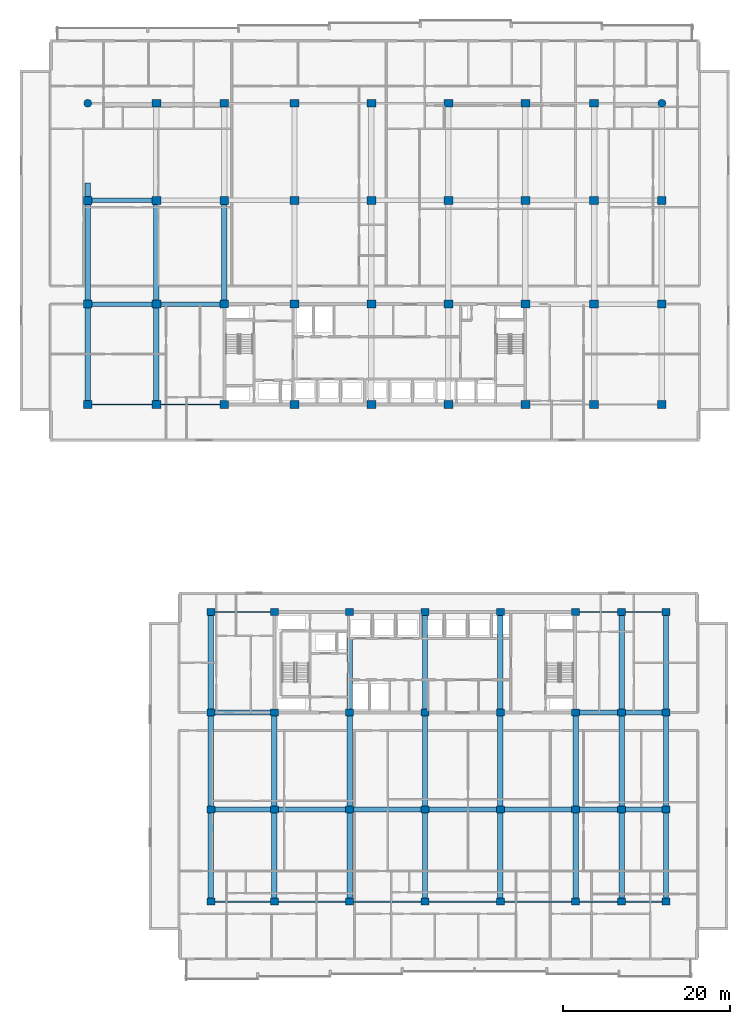
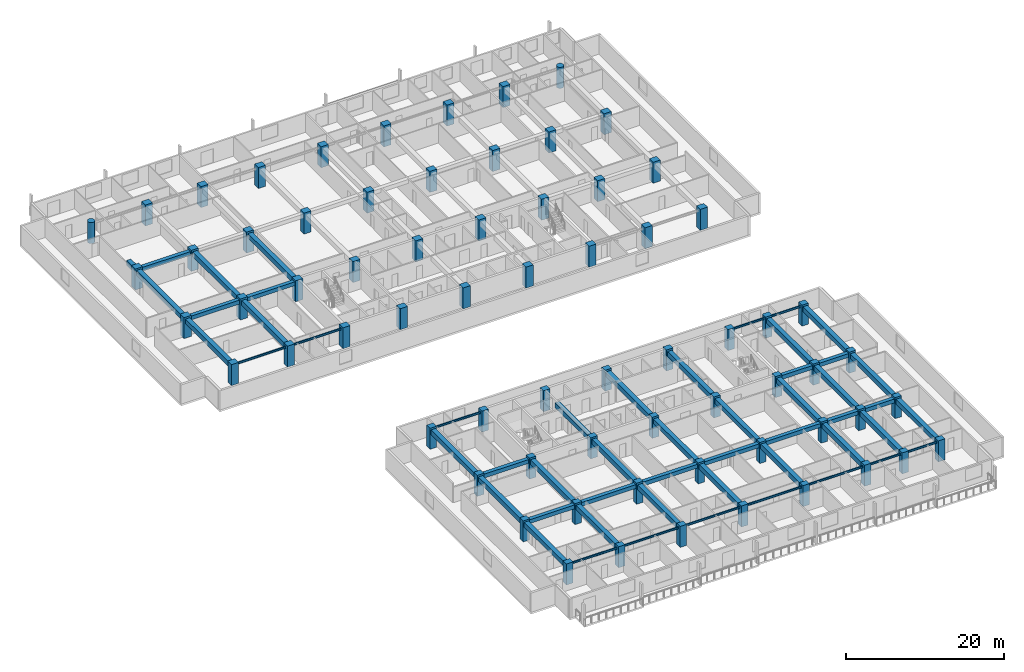
# One storey, part 1 of 23: 68 columns, 53 beams.
"""IFC4 building model written with IfcOpenShell, lengths in metres."""

from ifc_helpers import new_model, si_unit, direction, frame, origin, origin_2d, place, context, subcontext, project, spatial, rectangle, circle, i_section, extrude, material, material_profile, profile_set, type_object, element, save


model = new_model("IFC4")

# Units and contexts
model_context = context("Model", 3, precision=1e-05, world=origin(), true_north=direction((0.0, 1.0)))
body_context = subcontext(model_context, "Body", "Model", "MODEL_VIEW")
ifc_project = project(units=[si_unit("LENGTHUNIT", "METRE"), si_unit("AREAUNIT", "SQUARE_METRE"), si_unit("VOLUMEUNIT", "CUBIC_METRE"), si_unit("PLANEANGLEUNIT", "RADIAN"), si_unit("MASSUNIT", "GRAM", prefix="KILO")], contexts=[model_context])

# Site, building, storey
site_placement = place(None, origin())
site = spatial("IfcSite", under=ifc_project, at=site_placement, CompositionType="ELEMENT")
building_placement = place(site_placement, origin())
building = spatial("IfcBuilding", under=site, at=building_placement, Name="Korimba Cascade Residences", CompositionType="ELEMENT")
storey_placement = place(building_placement, frame((0.0, 0.0, 56.5)))
storey = spatial("IfcBuildingStorey", under=building, at=storey_placement, Name="L15", CompositionType="ELEMENT", Elevation=56.5)

# Columns
ifc_material_1 = material(Name="Concrete C80/95", Category="concrete")
ifc_material_profile_1 = material_profile(ifc_material_1, rectangle(XDim=1.050048828125, YDim=0.949951171875, at=origin_2d()), Name="Concrete C80/95")
ifc_profile_set_1 = profile_set([ifc_material_profile_1], Name="Concrete C80/95")
column_type_1 = type_object("IfcColumnType", Name="COL-RC-1050", PredefinedType="COLUMN", material=ifc_profile_set_1)
for number, where, z_axis, x_axis, name in (
    (1, (59.800048828125, 55.199951171875, 0.0), (0.0, 0.0, 1.0), (1.0, 0.0, 0.0), "L15 Tower 1 Column 1.1"),
    (2, (59.800048828125, 67.199951171875, 0.0), (0.0, 0.0, 1.0), (1.0, 0.0, 0.0), "L15 Tower 1 Column 1.2"),
    (3, (59.800048828125, 79.60009765625, 0.0), (0.0, 0.0, 1.0), (1.0, 0.0, 0.0), "L15 Tower 1 Column 1.3"),
    (4, (68.0, 55.199951171875, 0.0), (0.0, 0.0, 1.0), (1.0, 0.0, 0.0), "L15 Tower 1 Column 2.1"),
    (5, (68.0, 67.199951171875, 0.0), (0.0, 0.0, 1.0), (1.0, 0.0, 0.0), "L15 Tower 1 Column 2.2"),
    (6, (68.0, 79.60009765625, 0.0), (0.0, 0.0, 1.0), (1.0, 0.0, 0.0), "L15 Tower 1 Column 2.3"),
    (7, (68.0, 91.199951171875, 0.0), (0.0, 0.0, 1.0), (1.0, 0.0, 0.0), "L15 Tower 1 Column 2.4"),
    (8, (76.10009765625, 55.199951171875, 0.0), (0.0, 0.0, 1.0), (1.0, 0.0, 0.0), "L15 Tower 1 Column 3.1"),
    (9, (76.10009765625, 67.199951171875, 0.0), (0.0, 0.0, 1.0), (1.0, 0.0, 0.0), "L15 Tower 1 Column 3.2"),
    (10, (76.10009765625, 79.60009765625, 0.0), (0.0, 0.0, 1.0), (1.0, 0.0, 0.0), "L15 Tower 1 Column 3.3"),
    (11, (76.10009765625, 91.199951171875, 0.0), (0.0, 0.0, 1.0), (1.0, 0.0, 0.0), "L15 Tower 1 Column 3.4"),
    (12, (84.5, 55.199951171875, 0.0), (0.0, 0.0, 1.0), (1.0, 0.0, 0.0), "L15 Tower 1 Column 4.1"),
    (13, (84.5, 67.199951171875, 0.0), (0.0, 0.0, 1.0), (1.0, 0.0, 0.0), "L15 Tower 1 Column 4.2"),
    (14, (84.5, 79.60009765625, 0.0), (0.0, 0.0, 1.0), (1.0, 0.0, 0.0), "L15 Tower 1 Column 4.3"),
    (15, (84.5, 91.199951171875, 0.0), (0.0, 0.0, 1.0), (1.0, 0.0, 0.0), "L15 Tower 1 Column 4.4"),
    (16, (93.699951171875, 55.199951171875, 0.0), (0.0, 0.0, 1.0), (1.0, 0.0, 0.0), "L15 Tower 1 Column 5.1"),
    (17, (93.699951171875, 67.199951171875, 0.0), (0.0, 0.0, 1.0), (1.0, 0.0, 0.0), "L15 Tower 1 Column 5.2"),
    (18, (93.699951171875, 79.60009765625, 0.0), (0.0, 0.0, 1.0), (1.0, 0.0, 0.0), "L15 Tower 1 Column 5.3"),
    (19, (93.699951171875, 91.199951171875, 0.0), (0.0, 0.0, 1.0), (1.0, 0.0, 0.0), "L15 Tower 1 Column 5.4"),
    (20, (102.89990234375, 55.199951171875, 0.0), (0.0, 0.0, 1.0), (1.0, 0.0, 0.0), "L15 Tower 1 Column 6.1"),
    (21, (102.89990234375, 67.199951171875, 0.0), (0.0, 0.0, 1.0), (1.0, 0.0, 0.0), "L15 Tower 1 Column 6.2"),
    (22, (102.89990234375, 79.60009765625, 0.0), (0.0, 0.0, 1.0), (1.0, 0.0, 0.0), "L15 Tower 1 Column 6.3"),
    (23, (102.89990234375, 91.199951171875, 0.0), (0.0, 0.0, 1.0), (1.0, 0.0, 0.0), "L15 Tower 1 Column 6.4"),
    (24, (112.10009765625, 55.199951171875, 0.0), (0.0, 0.0, 1.0), (1.0, 0.0, 0.0), "L15 Tower 1 Column 7.1"),
    (25, (112.10009765625, 67.199951171875, 0.0), (0.0, 0.0, 1.0), (1.0, 0.0, 0.0), "L15 Tower 1 Column 7.2"),
    (26, (112.10009765625, 79.60009765625, 0.0), (0.0, 0.0, 1.0), (1.0, 0.0, 0.0), "L15 Tower 1 Column 7.3"),
    (27, (112.10009765625, 91.199951171875, 0.0), (0.0, 0.0, 1.0), (1.0, 0.0, 0.0), "L15 Tower 1 Column 7.4"),
    (28, (120.300048828125, 55.199951171875, 0.0), (0.0, 0.0, 1.0), (1.0, 0.0, 0.0), "L15 Tower 1 Column 8.1"),
    (29, (120.300048828125, 67.199951171875, 0.0), (0.0, 0.0, 1.0), (1.0, 0.0, 0.0), "L15 Tower 1 Column 8.2"),
    (30, (120.300048828125, 79.60009765625, 0.0), (0.0, 0.0, 1.0), (1.0, 0.0, 0.0), "L15 Tower 1 Column 8.3"),
    (31, (120.300048828125, 91.199951171875, 0.0), (0.0, 0.0, 1.0), (1.0, 0.0, 0.0), "L15 Tower 1 Column 8.4"),
    (32, (128.39990234375, 55.199951171875, 0.0), (0.0, 0.0, 1.0), (1.0, 0.0, 0.0), "L15 Tower 1 Column 9.1"),
    (33, (128.39990234375, 67.199951171875, 0.0), (0.0, 0.0, 1.0), (1.0, 0.0, 0.0), "L15 Tower 1 Column 9.2"),
    (34, (128.39990234375, 79.60009765625, 0.0), (0.0, 0.0, 1.0), (1.0, 0.0, 0.0), "L15 Tower 1 Column 9.3"),
):
    element("IfcColumn", number, at=place(storey_placement, frame(where, z_axis=z_axis, x_axis=x_axis)), inside=storey, type_object=column_type_1, Name=name, PredefinedType="COLUMN", context=body_context, shape_type="SweptSolid", body=[
        extrude(rectangle(XDim=1.050048828125, YDim=0.949951171875, at=origin_2d()), origin(), (0.0, 0.0, 1.0), 3.25),
    ])
ifc_material_2 = material(Name="Concrete C65/80", Category="concrete")
ifc_material_profile_2 = material_profile(ifc_material_2, rectangle(XDim=0.949951171875, YDim=0.85009765625, at=origin_2d()), Name="Concrete C65/80")
ifc_profile_set_2 = profile_set([ifc_material_profile_2], Name="Concrete C65/80")
column_type_2 = type_object("IfcColumnType", Name="COL-RC-950", PredefinedType="COLUMN", material=ifc_profile_set_2)
for number, where, z_axis, x_axis, name in (
    (35, (74.5, -4.199951171875, 0.0), (0.0, 0.0, 1.0), (1.0, 0.0, 0.0), "L15 Tower 2 Column 1.1"),
    (36, (74.5, 6.800048828125, 0.0), (0.0, 0.0, 1.0), (1.0, 0.0, 0.0), "L15 Tower 2 Column 1.2"),
    (37, (74.5, 18.39990234375, 0.0), (0.0, 0.0, 1.0), (1.0, 0.0, 0.0), "L15 Tower 2 Column 1.3"),
    (38, (74.5, 30.39990234375, 0.0), (0.0, 0.0, 1.0), (1.0, 0.0, 0.0), "L15 Tower 2 Column 1.4"),
    (39, (82.10009765625, -4.199951171875, 0.0), (0.0, 0.0, 1.0), (1.0, 0.0, 0.0), "L15 Tower 2 Column 2.1"),
    (40, (82.10009765625, 6.800048828125, 0.0), (0.0, 0.0, 1.0), (1.0, 0.0, 0.0), "L15 Tower 2 Column 2.2"),
    (41, (82.10009765625, 18.39990234375, 0.0), (0.0, 0.0, 1.0), (1.0, 0.0, 0.0), "L15 Tower 2 Column 2.3"),
    (42, (82.10009765625, 30.39990234375, 0.0), (0.0, 0.0, 1.0), (1.0, 0.0, 0.0), "L15 Tower 2 Column 2.4"),
    (43, (91.10009765625, -4.199951171875, 0.0), (0.0, 0.0, 1.0), (1.0, 0.0, 0.0), "L15 Tower 2 Column 3.1"),
    (44, (91.10009765625, 6.800048828125, 0.0), (0.0, 0.0, 1.0), (1.0, 0.0, 0.0), "L15 Tower 2 Column 3.2"),
    (45, (91.10009765625, 18.39990234375, 0.0), (0.0, 0.0, 1.0), (1.0, 0.0, 0.0), "L15 Tower 2 Column 3.3"),
    (46, (91.10009765625, 30.39990234375, 0.0), (0.0, 0.0, 1.0), (1.0, 0.0, 0.0), "L15 Tower 2 Column 3.4"),
    (47, (100.10009765625, -4.199951171875, 0.0), (0.0, 0.0, 1.0), (1.0, 0.0, 0.0), "L15 Tower 2 Column 4.1"),
    (48, (100.10009765625, 6.800048828125, 0.0), (0.0, 0.0, 1.0), (1.0, 0.0, 0.0), "L15 Tower 2 Column 4.2"),
    (49, (100.10009765625, 18.39990234375, 0.0), (0.0, 0.0, 1.0), (1.0, 0.0, 0.0), "L15 Tower 2 Column 4.3"),
    (50, (100.10009765625, 30.39990234375, 0.0), (0.0, 0.0, 1.0), (1.0, 0.0, 0.0), "L15 Tower 2 Column 4.4"),
    (51, (109.10009765625, -4.199951171875, 0.0), (0.0, 0.0, 1.0), (1.0, 0.0, 0.0), "L15 Tower 2 Column 5.1"),
    (52, (109.10009765625, 6.800048828125, 0.0), (0.0, 0.0, 1.0), (1.0, 0.0, 0.0), "L15 Tower 2 Column 5.2"),
    (53, (109.10009765625, 18.39990234375, 0.0), (0.0, 0.0, 1.0), (1.0, 0.0, 0.0), "L15 Tower 2 Column 5.3"),
    (54, (109.10009765625, 30.39990234375, 0.0), (0.0, 0.0, 1.0), (1.0, 0.0, 0.0), "L15 Tower 2 Column 5.4"),
    (55, (118.10009765625, -4.199951171875, 0.0), (0.0, 0.0, 1.0), (1.0, 0.0, 0.0), "L15 Tower 2 Column 6.1"),
    (56, (118.10009765625, 6.800048828125, 0.0), (0.0, 0.0, 1.0), (1.0, 0.0, 0.0), "L15 Tower 2 Column 6.2"),
    (57, (118.10009765625, 18.39990234375, 0.0), (0.0, 0.0, 1.0), (1.0, 0.0, 0.0), "L15 Tower 2 Column 6.3"),
    (58, (118.10009765625, 30.39990234375, 0.0), (0.0, 0.0, 1.0), (1.0, 0.0, 0.0), "L15 Tower 2 Column 6.4"),
    (59, (123.60009765625, -4.199951171875, 0.0), (0.0, 0.0, 1.0), (1.0, 0.0, 0.0), "L15 Tower 2 Column 7.1"),
    (60, (123.60009765625, 6.800048828125, 0.0), (0.0, 0.0, 1.0), (1.0, 0.0, 0.0), "L15 Tower 2 Column 7.2"),
    (61, (123.60009765625, 18.39990234375, 0.0), (0.0, 0.0, 1.0), (1.0, 0.0, 0.0), "L15 Tower 2 Column 7.3"),
    (62, (123.60009765625, 30.39990234375, 0.0), (0.0, 0.0, 1.0), (1.0, 0.0, 0.0), "L15 Tower 2 Column 7.4"),
    (63, (128.89990234375, -4.199951171875, 0.0), (0.0, 0.0, 1.0), (1.0, 0.0, 0.0), "L15 Tower 2 Column 8.1"),
    (64, (128.89990234375, 6.800048828125, 0.0), (0.0, 0.0, 1.0), (1.0, 0.0, 0.0), "L15 Tower 2 Column 8.2"),
    (65, (128.89990234375, 18.39990234375, 0.0), (0.0, 0.0, 1.0), (1.0, 0.0, 0.0), "L15 Tower 2 Column 8.3"),
    (66, (128.89990234375, 30.39990234375, 0.0), (0.0, 0.0, 1.0), (1.0, 0.0, 0.0), "L15 Tower 2 Column 8.4"),
):
    element("IfcColumn", number, at=place(storey_placement, frame(where, z_axis=z_axis, x_axis=x_axis)), inside=storey, type_object=column_type_2, Name=name, PredefinedType="COLUMN", context=body_context, shape_type="SweptSolid", body=[
        extrude(rectangle(XDim=0.949951171875, YDim=0.85009765625, at=origin_2d()), origin(), (0.0, 0.0, 1.0), 3.25),
    ])
ifc_material_profile_3 = material_profile(ifc_material_1, circle(Radius=0.47509765625, at=origin_2d()), Name="Concrete C80/95")
ifc_profile_set_3 = profile_set([ifc_material_profile_3], Name="Concrete C80/95")
column_type_3 = type_object("IfcColumnType", Name="COL-RC-D950", PredefinedType="COLUMN", material=ifc_profile_set_3)
for number, where, z_axis, x_axis, name in (
    (67, (59.800048828125, 91.199951171875, 0.0), (0.0, 0.0, 1.0), (1.0, 0.0, 0.0), "L15 Tower 1 Column 1.4"),
    (68, (128.39990234375, 91.199951171875, 0.0), (0.0, 0.0, 1.0), (1.0, 0.0, 0.0), "L15 Tower 1 Column 9.4"),
):
    element("IfcColumn", number, at=place(storey_placement, frame(where, z_axis=z_axis, x_axis=x_axis)), inside=storey, type_object=column_type_3, Name=name, PredefinedType="COLUMN", context=body_context, shape_type="SweptSolid", body=[
        extrude(circle(Radius=0.47509765625, at=origin_2d()), origin(), (0.0, 0.0, 1.0), 3.25),
    ])

# Beams
ifc_material_3 = material(Name="Concrete C50/60", Category="concrete")
ifc_material_profile_4 = material_profile(ifc_material_3, rectangle(XDim=0.550048828125, YDim=0.60009765625, at=origin_2d()), Name="Concrete C50/60")
ifc_profile_set_4 = profile_set([ifc_material_profile_4], Name="Concrete C50/60")
beam_type_1 = type_object("IfcBeamType", Name="BM-RC-B600", PredefinedType="BEAM", material=ifc_profile_set_4)
beam_1_placement = place(storey_placement, frame((60.324951171875, 67.199951171875, 2.669921875), z_axis=(1.0, 0.0, 0.0), x_axis=(0.0, 1.0, 0.0)))
element("IfcBeam", 69, at=beam_1_placement, inside=storey, type_object=beam_type_1, Name="L15 T1 E-W Girder Y2 Bay 1", PredefinedType="BEAM", context=body_context, shape_type="SweptSolid", body=[
    extrude(rectangle(XDim=0.550048828125, YDim=0.60009765625, at=origin_2d()), origin(), (0.0, 0.0, 1.0), 7.150146484375),
])
beam_2_placement = place(storey_placement, frame((68.52490234375, 67.199951171875, 2.669921875), z_axis=(1.0, 0.0, 0.0), x_axis=(0.0, 1.0, 0.0)))
element("IfcBeam", 70, at=beam_2_placement, inside=storey, type_object=beam_type_1, Name="L15 T1 E-W Girder Y2 Bay 2", PredefinedType="BEAM", context=body_context, shape_type="SweptSolid", body=[
    extrude(rectangle(XDim=0.550048828125, YDim=0.60009765625, at=origin_2d()), origin(), (0.0, 0.0, 1.0), 7.050048828125),
])
beam_3_placement = place(storey_placement, frame((60.324951171875, 79.60009765625, 2.669921875), z_axis=(1.0, 0.0, 0.0), x_axis=(0.0, 1.0, 0.0)))
element("IfcBeam", 71, at=beam_3_placement, inside=storey, type_object=beam_type_1, Name="L15 T1 E-W Girder Y3 Bay 1", PredefinedType="BEAM", context=body_context, shape_type="SweptSolid", body=[
    extrude(rectangle(XDim=0.550048828125, YDim=0.60009765625, at=origin_2d()), origin(), (0.0, 0.0, 1.0), 7.150146484375),
])
beam_4_placement = place(storey_placement, frame((74.97509765625, 6.800048828125, 2.669921875), z_axis=(1.0, 0.0, 0.0), x_axis=(0.0, 1.0, 0.0)))
element("IfcBeam", 72, at=beam_4_placement, inside=storey, type_object=beam_type_1, Name="L15 T2 E-W Girder Y2 Bay 1", PredefinedType="BEAM", context=body_context, shape_type="SweptSolid", body=[
    extrude(rectangle(XDim=0.550048828125, YDim=0.60009765625, at=origin_2d()), origin(), (0.0, 0.0, 1.0), 6.64990234375),
])
for number, where, z_axis, x_axis, name in (
    (73, (82.574951171875, 6.800048828125, 2.669921875), (1.0, 0.0, 0.0), (0.0, 1.0, 0.0), "L15 T2 E-W Girder Y2 Bay 2"),
    (74, (91.574951171875, 6.800048828125, 2.669921875), (1.0, 0.0, 0.0), (0.0, 1.0, 0.0), "L15 T2 E-W Girder Y2 Bay 3"),
    (75, (100.574951171875, 6.800048828125, 2.669921875), (1.0, 0.0, 0.0), (0.0, 1.0, 0.0), "L15 T2 E-W Girder Y2 Bay 4"),
    (76, (109.574951171875, 6.800048828125, 2.669921875), (1.0, 0.0, 0.0), (0.0, 1.0, 0.0), "L15 T2 E-W Girder Y2 Bay 5"),
):
    element("IfcBeam", number, at=place(storey_placement, frame(where, z_axis=z_axis, x_axis=x_axis)), inside=storey, type_object=beam_type_1, Name=name, PredefinedType="BEAM", context=body_context, shape_type="SweptSolid", body=[
        extrude(rectangle(XDim=0.550048828125, YDim=0.60009765625, at=origin_2d()), origin(), (0.0, 0.0, 1.0), 8.050048828125),
    ])
beam_5_placement = place(storey_placement, frame((118.574951171875, 6.800048828125, 2.669921875), z_axis=(1.0, 0.0, 0.0), x_axis=(0.0, 1.0, 0.0)))
element("IfcBeam", 77, at=beam_5_placement, inside=storey, type_object=beam_type_1, Name="L15 T2 E-W Girder Y2 Bay 6", PredefinedType="BEAM", context=body_context, shape_type="SweptSolid", body=[
    extrude(rectangle(XDim=0.550048828125, YDim=0.60009765625, at=origin_2d()), origin(), (0.0, 0.0, 1.0), 4.550048828125),
])
beam_6_placement = place(storey_placement, frame((124.074951171875, 6.800048828125, 2.669921875), z_axis=(1.0, 0.0, 0.0), x_axis=(0.0, 1.0, 0.0)))
element("IfcBeam", 78, at=beam_6_placement, inside=storey, type_object=beam_type_1, Name="L15 T2 E-W Girder Y2 Bay 7", PredefinedType="BEAM", context=body_context, shape_type="SweptSolid", body=[
    extrude(rectangle(XDim=0.550048828125, YDim=0.60009765625, at=origin_2d()), origin(), (0.0, 0.0, 1.0), 4.35009765625),
])
beam_7_placement = place(storey_placement, frame((74.97509765625, 18.39990234375, 2.669921875), z_axis=(1.0, 0.0, 0.0), x_axis=(0.0, 1.0, 0.0)))
element("IfcBeam", 79, at=beam_7_placement, inside=storey, type_object=beam_type_1, Name="L15 T2 E-W Girder Y3 Bay 1", PredefinedType="BEAM", context=body_context, shape_type="SweptSolid", body=[
    extrude(rectangle(XDim=0.550048828125, YDim=0.60009765625, at=origin_2d()), origin(), (0.0, 0.0, 1.0), 6.64990234375),
])
beam_8_placement = place(storey_placement, frame((118.574951171875, 18.39990234375, 2.669921875), z_axis=(1.0, 0.0, 0.0), x_axis=(0.0, 1.0, 0.0)))
element("IfcBeam", 80, at=beam_8_placement, inside=storey, type_object=beam_type_1, Name="L15 T2 E-W Girder Y3 Bay 6", PredefinedType="BEAM", context=body_context, shape_type="SweptSolid", body=[
    extrude(rectangle(XDim=0.550048828125, YDim=0.60009765625, at=origin_2d()), origin(), (0.0, 0.0, 1.0), 4.550048828125),
])
beam_9_placement = place(storey_placement, frame((124.074951171875, 18.39990234375, 2.669921875), z_axis=(1.0, 0.0, 0.0), x_axis=(0.0, 1.0, 0.0)))
element("IfcBeam", 81, at=beam_9_placement, inside=storey, type_object=beam_type_1, Name="L15 T2 E-W Girder Y3 Bay 7", PredefinedType="BEAM", context=body_context, shape_type="SweptSolid", body=[
    extrude(rectangle(XDim=0.550048828125, YDim=0.60009765625, at=origin_2d()), origin(), (0.0, 0.0, 1.0), 4.35009765625),
])
ifc_material_profile_5 = material_profile(ifc_material_3, rectangle(XDim=0.64990234375, YDim=0.75, at=origin_2d()), Name="Concrete C50/60")
ifc_profile_set_5 = profile_set([ifc_material_profile_5], Name="Concrete C50/60")
beam_type_2 = type_object("IfcBeamType", Name="BM-RC-G750", PredefinedType="BEAM", material=ifc_profile_set_5)
beam_10_placement = place(storey_placement, frame((59.800048828125, 55.675048828125, 2.594970703125), z_axis=(0.0, 1.0, 0.0), x_axis=(-1.0, 0.0, 0.0)))
element("IfcBeam", 82, at=beam_10_placement, inside=storey, type_object=beam_type_2, Name="L15 T1 N-S Girder X1 Seg 1", PredefinedType="BEAM", context=body_context, shape_type="SweptSolid", body=[
    extrude(rectangle(XDim=0.64990234375, YDim=0.75, at=origin_2d()), origin(), (0.0, 0.0, 1.0), 11.050048828125),
])
beam_11_placement = place(storey_placement, frame((59.800048828125, 67.675048828125, 2.594970703125), z_axis=(0.0, 1.0, 0.0), x_axis=(-1.0, 0.0, 0.0)))
element("IfcBeam", 83, at=beam_11_placement, inside=storey, type_object=beam_type_2, Name="L15 T1 N-S Girder X1 Seg 2", PredefinedType="BEAM", context=body_context, shape_type="SweptSolid", body=[
    extrude(rectangle(XDim=0.64990234375, YDim=0.75, at=origin_2d()), origin(), (0.0, 0.0, 1.0), 11.449951171875),
])
beam_12_placement = place(storey_placement, frame((59.800048828125, 80.074951171875, 2.594970703125), z_axis=(0.0, 1.0, 0.0), x_axis=(-1.0, 0.0, 0.0)))
element("IfcBeam", 84, at=beam_12_placement, inside=storey, type_object=beam_type_2, Name="L15 T1 N-S Girder X1 Seg 3", PredefinedType="BEAM", context=body_context, shape_type="SweptSolid", body=[
    extrude(rectangle(XDim=0.64990234375, YDim=0.75, at=origin_2d()), origin(), (0.0, 0.0, 1.0), 1.625),
])
beam_13_placement = place(storey_placement, frame((68.0, 55.675048828125, 2.594970703125), z_axis=(0.0, 1.0, 0.0), x_axis=(-1.0, 0.0, 0.0)))
element("IfcBeam", 85, at=beam_13_placement, inside=storey, type_object=beam_type_2, Name="L15 T1 N-S Girder X2 Seg 1", PredefinedType="BEAM", context=body_context, shape_type="SweptSolid", body=[
    extrude(rectangle(XDim=0.64990234375, YDim=0.75, at=origin_2d()), origin(), (0.0, 0.0, 1.0), 11.050048828125),
])
for number, where, z_axis, x_axis, name in (
    (86, (68.0, 67.675048828125, 2.594970703125), (0.0, 1.0, 0.0), (-1.0, 0.0, 0.0), "L15 T1 N-S Girder X2 Seg 2"),
    (87, (76.10009765625, 67.675048828125, 2.594970703125), (0.0, 1.0, 0.0), (-1.0, 0.0, 0.0), "L15 T1 N-S Girder X3 Seg 2"),
):
    element("IfcBeam", number, at=place(storey_placement, frame(where, z_axis=z_axis, x_axis=x_axis)), inside=storey, type_object=beam_type_2, Name=name, PredefinedType="BEAM", context=body_context, shape_type="SweptSolid", body=[
        extrude(rectangle(XDim=0.64990234375, YDim=0.75, at=origin_2d()), origin(), (0.0, 0.0, 1.0), 11.449951171875),
    ])
beam_14_placement = place(storey_placement, frame((74.5, -3.77490234375, 2.594970703125), z_axis=(0.0, 1.0, 0.0), x_axis=(-1.0, 0.0, 0.0)))
element("IfcBeam", 88, at=beam_14_placement, inside=storey, type_object=beam_type_2, Name="L15 T2 N-S Girder X1 Seg 1", PredefinedType="BEAM", context=body_context, shape_type="SweptSolid", body=[
    extrude(rectangle(XDim=0.64990234375, YDim=0.75, at=origin_2d()), origin(), (0.0, 0.0, 1.0), 10.14990234375),
])
beam_15_placement = place(storey_placement, frame((74.5, 7.22509765625, 2.594970703125), z_axis=(0.0, 1.0, 0.0), x_axis=(-1.0, 0.0, 0.0)))
element("IfcBeam", 89, at=beam_15_placement, inside=storey, type_object=beam_type_2, Name="L15 T2 N-S Girder X1 Seg 2", PredefinedType="BEAM", context=body_context, shape_type="SweptSolid", body=[
    extrude(rectangle(XDim=0.64990234375, YDim=0.75, at=origin_2d()), origin(), (0.0, 0.0, 1.0), 10.75),
])
beam_16_placement = place(storey_placement, frame((74.5, 18.824951171875, 2.594970703125), z_axis=(0.0, 1.0, 0.0), x_axis=(-1.0, 0.0, 0.0)))
element("IfcBeam", 90, at=beam_16_placement, inside=storey, type_object=beam_type_2, Name="L15 T2 N-S Girder X1 Seg 3", PredefinedType="BEAM", context=body_context, shape_type="SweptSolid", body=[
    extrude(rectangle(XDim=0.64990234375, YDim=0.75, at=origin_2d()), origin(), (0.0, 0.0, 1.0), 11.150146484375),
])
beam_17_placement = place(storey_placement, frame((82.10009765625, -3.77490234375, 2.594970703125), z_axis=(0.0, 1.0, 0.0), x_axis=(-1.0, 0.0, 0.0)))
element("IfcBeam", 91, at=beam_17_placement, inside=storey, type_object=beam_type_2, Name="L15 T2 N-S Girder X2 Seg 1", PredefinedType="BEAM", context=body_context, shape_type="SweptSolid", body=[
    extrude(rectangle(XDim=0.64990234375, YDim=0.75, at=origin_2d()), origin(), (0.0, 0.0, 1.0), 10.14990234375),
])
beam_18_placement = place(storey_placement, frame((82.10009765625, 7.22509765625, 2.594970703125), z_axis=(0.0, 1.0, 0.0), x_axis=(-1.0, 0.0, 0.0)))
element("IfcBeam", 92, at=beam_18_placement, inside=storey, type_object=beam_type_2, Name="L15 T2 N-S Girder X2 Seg 2", PredefinedType="BEAM", context=body_context, shape_type="SweptSolid", body=[
    extrude(rectangle(XDim=0.64990234375, YDim=0.75, at=origin_2d()), origin(), (0.0, 0.0, 1.0), 10.75),
])
beam_19_placement = place(storey_placement, frame((91.10009765625, -3.77490234375, 2.594970703125), z_axis=(0.0, 1.0, 0.0), x_axis=(-1.0, 0.0, 0.0)))
element("IfcBeam", 93, at=beam_19_placement, inside=storey, type_object=beam_type_2, Name="L15 T2 N-S Girder X3 Seg 1", PredefinedType="BEAM", context=body_context, shape_type="SweptSolid", body=[
    extrude(rectangle(XDim=0.64990234375, YDim=0.75, at=origin_2d()), origin(), (0.0, 0.0, 1.0), 10.14990234375),
])
beam_20_placement = place(storey_placement, frame((91.10009765625, 7.22509765625, 2.594970703125), z_axis=(0.0, 1.0, 0.0), x_axis=(-1.0, 0.0, 0.0)))
element("IfcBeam", 94, at=beam_20_placement, inside=storey, type_object=beam_type_2, Name="L15 T2 N-S Girder X3 Seg 2", PredefinedType="BEAM", context=body_context, shape_type="SweptSolid", body=[
    extrude(rectangle(XDim=0.64990234375, YDim=0.75, at=origin_2d()), origin(), (0.0, 0.0, 1.0), 10.75),
])
beam_21_placement = place(storey_placement, frame((91.10009765625, 18.824951171875, 2.594970703125), z_axis=(0.0, 1.0, 0.0), x_axis=(-1.0, 0.0, 0.0)))
element("IfcBeam", 95, at=beam_21_placement, inside=storey, type_object=beam_type_2, Name="L15 T2 N-S Girder X3 Seg 3", PredefinedType="BEAM", context=body_context, shape_type="SweptSolid", body=[
    extrude(rectangle(XDim=0.64990234375, YDim=0.75, at=origin_2d()), origin(), (0.0, 0.0, 1.0), 8.51513671875),
])
beam_22_placement = place(storey_placement, frame((100.10009765625, -3.77490234375, 2.594970703125), z_axis=(0.0, 1.0, 0.0), x_axis=(-1.0, 0.0, 0.0)))
element("IfcBeam", 96, at=beam_22_placement, inside=storey, type_object=beam_type_2, Name="L15 T2 N-S Girder X4 Seg 1", PredefinedType="BEAM", context=body_context, shape_type="SweptSolid", body=[
    extrude(rectangle(XDim=0.64990234375, YDim=0.75, at=origin_2d()), origin(), (0.0, 0.0, 1.0), 10.14990234375),
])
beam_23_placement = place(storey_placement, frame((100.10009765625, 7.22509765625, 2.594970703125), z_axis=(0.0, 1.0, 0.0), x_axis=(-1.0, 0.0, 0.0)))
element("IfcBeam", 97, at=beam_23_placement, inside=storey, type_object=beam_type_2, Name="L15 T2 N-S Girder X4 Seg 2", PredefinedType="BEAM", context=body_context, shape_type="SweptSolid", body=[
    extrude(rectangle(XDim=0.64990234375, YDim=0.75, at=origin_2d()), origin(), (0.0, 0.0, 1.0), 10.75),
])
beam_24_placement = place(storey_placement, frame((100.10009765625, 18.824951171875, 2.594970703125), z_axis=(0.0, 1.0, 0.0), x_axis=(-1.0, 0.0, 0.0)))
element("IfcBeam", 98, at=beam_24_placement, inside=storey, type_object=beam_type_2, Name="L15 T2 N-S Girder X4 Seg 3", PredefinedType="BEAM", context=body_context, shape_type="SweptSolid", body=[
    extrude(rectangle(XDim=0.64990234375, YDim=0.75, at=origin_2d()), origin(), (0.0, 0.0, 1.0), 11.150146484375),
])
beam_25_placement = place(storey_placement, frame((109.10009765625, -3.77490234375, 2.594970703125), z_axis=(0.0, 1.0, 0.0), x_axis=(-1.0, 0.0, 0.0)))
element("IfcBeam", 99, at=beam_25_placement, inside=storey, type_object=beam_type_2, Name="L15 T2 N-S Girder X5 Seg 1", PredefinedType="BEAM", context=body_context, shape_type="SweptSolid", body=[
    extrude(rectangle(XDim=0.64990234375, YDim=0.75, at=origin_2d()), origin(), (0.0, 0.0, 1.0), 10.14990234375),
])
beam_26_placement = place(storey_placement, frame((109.10009765625, 7.22509765625, 2.594970703125), z_axis=(0.0, 1.0, 0.0), x_axis=(-1.0, 0.0, 0.0)))
element("IfcBeam", 100, at=beam_26_placement, inside=storey, type_object=beam_type_2, Name="L15 T2 N-S Girder X5 Seg 2", PredefinedType="BEAM", context=body_context, shape_type="SweptSolid", body=[
    extrude(rectangle(XDim=0.64990234375, YDim=0.75, at=origin_2d()), origin(), (0.0, 0.0, 1.0), 10.75),
])
beam_27_placement = place(storey_placement, frame((109.10009765625, 18.824951171875, 2.594970703125), z_axis=(0.0, 1.0, 0.0), x_axis=(-1.0, 0.0, 0.0)))
element("IfcBeam", 101, at=beam_27_placement, inside=storey, type_object=beam_type_2, Name="L15 T2 N-S Girder X5 Seg 3", PredefinedType="BEAM", context=body_context, shape_type="SweptSolid", body=[
    extrude(rectangle(XDim=0.64990234375, YDim=0.75, at=origin_2d()), origin(), (0.0, 0.0, 1.0), 11.150146484375),
])
beam_28_placement = place(storey_placement, frame((118.10009765625, -3.77490234375, 2.594970703125), z_axis=(0.0, 1.0, 0.0), x_axis=(-1.0, 0.0, 0.0)))
element("IfcBeam", 102, at=beam_28_placement, inside=storey, type_object=beam_type_2, Name="L15 T2 N-S Girder X6 Seg 1", PredefinedType="BEAM", context=body_context, shape_type="SweptSolid", body=[
    extrude(rectangle(XDim=0.64990234375, YDim=0.75, at=origin_2d()), origin(), (0.0, 0.0, 1.0), 10.14990234375),
])
beam_29_placement = place(storey_placement, frame((118.10009765625, 7.22509765625, 2.594970703125), z_axis=(0.0, 1.0, 0.0), x_axis=(-1.0, 0.0, 0.0)))
element("IfcBeam", 103, at=beam_29_placement, inside=storey, type_object=beam_type_2, Name="L15 T2 N-S Girder X6 Seg 2", PredefinedType="BEAM", context=body_context, shape_type="SweptSolid", body=[
    extrude(rectangle(XDim=0.64990234375, YDim=0.75, at=origin_2d()), origin(), (0.0, 0.0, 1.0), 10.75),
])
beam_30_placement = place(storey_placement, frame((123.60009765625, -3.77490234375, 2.594970703125), z_axis=(0.0, 1.0, 0.0), x_axis=(-1.0, 0.0, 0.0)))
element("IfcBeam", 104, at=beam_30_placement, inside=storey, type_object=beam_type_2, Name="L15 T2 N-S Girder X7 Seg 1", PredefinedType="BEAM", context=body_context, shape_type="SweptSolid", body=[
    extrude(rectangle(XDim=0.64990234375, YDim=0.75, at=origin_2d()), origin(), (0.0, 0.0, 1.0), 10.14990234375),
])
beam_31_placement = place(storey_placement, frame((123.60009765625, 7.22509765625, 2.594970703125), z_axis=(0.0, 1.0, 0.0), x_axis=(-1.0, 0.0, 0.0)))
element("IfcBeam", 105, at=beam_31_placement, inside=storey, type_object=beam_type_2, Name="L15 T2 N-S Girder X7 Seg 2", PredefinedType="BEAM", context=body_context, shape_type="SweptSolid", body=[
    extrude(rectangle(XDim=0.64990234375, YDim=0.75, at=origin_2d()), origin(), (0.0, 0.0, 1.0), 10.75),
])
beam_32_placement = place(storey_placement, frame((123.60009765625, 18.824951171875, 2.594970703125), z_axis=(0.0, 1.0, 0.0), x_axis=(-1.0, 0.0, 0.0)))
element("IfcBeam", 106, at=beam_32_placement, inside=storey, type_object=beam_type_2, Name="L15 T2 N-S Girder X7 Seg 3", PredefinedType="BEAM", context=body_context, shape_type="SweptSolid", body=[
    extrude(rectangle(XDim=0.64990234375, YDim=0.75, at=origin_2d()), origin(), (0.0, 0.0, 1.0), 11.150146484375),
])
beam_33_placement = place(storey_placement, frame((128.89990234375, -3.77490234375, 2.594970703125), z_axis=(0.0, 1.0, 0.0), x_axis=(-1.0, 0.0, 0.0)))
element("IfcBeam", 107, at=beam_33_placement, inside=storey, type_object=beam_type_2, Name="L15 T2 N-S Girder X8 Seg 1", PredefinedType="BEAM", context=body_context, shape_type="SweptSolid", body=[
    extrude(rectangle(XDim=0.64990234375, YDim=0.75, at=origin_2d()), origin(), (0.0, 0.0, 1.0), 10.14990234375),
])
beam_34_placement = place(storey_placement, frame((128.89990234375, 7.22509765625, 2.594970703125), z_axis=(0.0, 1.0, 0.0), x_axis=(-1.0, 0.0, 0.0)))
element("IfcBeam", 108, at=beam_34_placement, inside=storey, type_object=beam_type_2, Name="L15 T2 N-S Girder X8 Seg 2", PredefinedType="BEAM", context=body_context, shape_type="SweptSolid", body=[
    extrude(rectangle(XDim=0.64990234375, YDim=0.75, at=origin_2d()), origin(), (0.0, 0.0, 1.0), 10.75),
])
beam_35_placement = place(storey_placement, frame((128.89990234375, 18.824951171875, 2.594970703125), z_axis=(0.0, 1.0, 0.0), x_axis=(-1.0, 0.0, 0.0)))
element("IfcBeam", 109, at=beam_35_placement, inside=storey, type_object=beam_type_2, Name="L15 T2 N-S Girder X8 Seg 3", PredefinedType="BEAM", context=body_context, shape_type="SweptSolid", body=[
    extrude(rectangle(XDim=0.64990234375, YDim=0.75, at=origin_2d()), origin(), (0.0, 0.0, 1.0), 11.150146484375),
])
ifc_material_4 = material(Name="Steel S355", Category="steel")
ifc_material_profile_6 = material_profile(ifc_material_4, i_section(OverallWidth=0.165771484375, OverallDepth=0.306640625, WebThickness=0.006591796875, FlangeThickness=0.01171875, FilletRadius=0.0087890625, at=origin_2d()), Name="Steel S355")
ifc_profile_set_6 = profile_set([ifc_material_profile_6], Name="Steel S355")
beam_type_3 = type_object("IfcBeamType", Name="BM-STL-UB305", PredefinedType="SPANDREL", material=ifc_profile_set_6)
beam_36_placement = place(storey_placement, frame((60.324951171875, 55.199951171875, 2.816650390625), z_axis=(1.0, 0.0, 0.0), x_axis=(0.0, 1.0, 0.0)))
element("IfcBeam", 110, at=beam_36_placement, inside=storey, type_object=beam_type_3, Name="L15 T1 E-W Girder Y1 Bay 1", PredefinedType="SPANDREL", context=body_context, shape_type="SweptSolid", body=[
    extrude(i_section(OverallWidth=0.165771484375, OverallDepth=0.306640625, WebThickness=0.006591796875, FlangeThickness=0.01171875, FilletRadius=0.0087890625, at=origin_2d()), origin(), (0.0, 0.0, 1.0), 7.150146484375),
])
beam_37_placement = place(storey_placement, frame((68.52490234375, 55.199951171875, 2.816650390625), z_axis=(1.0, 0.0, 0.0), x_axis=(0.0, 1.0, 0.0)))
element("IfcBeam", 111, at=beam_37_placement, inside=storey, type_object=beam_type_3, Name="L15 T1 E-W Girder Y1 Bay 2", PredefinedType="SPANDREL", context=body_context, shape_type="SweptSolid", body=[
    extrude(i_section(OverallWidth=0.165771484375, OverallDepth=0.306640625, WebThickness=0.006591796875, FlangeThickness=0.01171875, FilletRadius=0.0087890625, at=origin_2d()), origin(), (0.0, 0.0, 1.0), 7.050048828125),
])
beam_38_placement = place(storey_placement, frame((74.97509765625, -4.199951171875, 2.816650390625), z_axis=(1.0, 0.0, 0.0), x_axis=(0.0, 1.0, 0.0)))
element("IfcBeam", 112, at=beam_38_placement, inside=storey, type_object=beam_type_3, Name="L15 T2 E-W Girder Y1 Bay 1", PredefinedType="SPANDREL", context=body_context, shape_type="SweptSolid", body=[
    extrude(i_section(OverallWidth=0.165771484375, OverallDepth=0.306640625, WebThickness=0.006591796875, FlangeThickness=0.01171875, FilletRadius=0.0087890625, at=origin_2d()), origin(), (0.0, 0.0, 1.0), 6.64990234375),
])
for number, where, z_axis, x_axis, name in (
    (113, (82.574951171875, -4.199951171875, 2.816650390625), (1.0, 0.0, 0.0), (0.0, 1.0, 0.0), "L15 T2 E-W Girder Y1 Bay 2"),
    (114, (91.574951171875, -4.199951171875, 2.816650390625), (1.0, 0.0, 0.0), (0.0, 1.0, 0.0), "L15 T2 E-W Girder Y1 Bay 3"),
    (115, (100.574951171875, -4.199951171875, 2.816650390625), (1.0, 0.0, 0.0), (0.0, 1.0, 0.0), "L15 T2 E-W Girder Y1 Bay 4"),
    (116, (109.574951171875, -4.199951171875, 2.816650390625), (1.0, 0.0, 0.0), (0.0, 1.0, 0.0), "L15 T2 E-W Girder Y1 Bay 5"),
):
    element("IfcBeam", number, at=place(storey_placement, frame(where, z_axis=z_axis, x_axis=x_axis)), inside=storey, type_object=beam_type_3, Name=name, PredefinedType="SPANDREL", context=body_context, shape_type="SweptSolid", body=[
        extrude(i_section(OverallWidth=0.165771484375, OverallDepth=0.306640625, WebThickness=0.006591796875, FlangeThickness=0.01171875, FilletRadius=0.0087890625, at=origin_2d()), origin(), (0.0, 0.0, 1.0), 8.050048828125),
    ])
beam_39_placement = place(storey_placement, frame((118.574951171875, -4.199951171875, 2.816650390625), z_axis=(1.0, 0.0, 0.0), x_axis=(0.0, 1.0, 0.0)))
element("IfcBeam", 117, at=beam_39_placement, inside=storey, type_object=beam_type_3, Name="L15 T2 E-W Girder Y1 Bay 6", PredefinedType="SPANDREL", context=body_context, shape_type="SweptSolid", body=[
    extrude(i_section(OverallWidth=0.165771484375, OverallDepth=0.306640625, WebThickness=0.006591796875, FlangeThickness=0.01171875, FilletRadius=0.0087890625, at=origin_2d()), origin(), (0.0, 0.0, 1.0), 4.550048828125),
])
beam_40_placement = place(storey_placement, frame((124.074951171875, -4.199951171875, 2.816650390625), z_axis=(1.0, 0.0, 0.0), x_axis=(0.0, 1.0, 0.0)))
element("IfcBeam", 118, at=beam_40_placement, inside=storey, type_object=beam_type_3, Name="L15 T2 E-W Girder Y1 Bay 7", PredefinedType="SPANDREL", context=body_context, shape_type="SweptSolid", body=[
    extrude(i_section(OverallWidth=0.165771484375, OverallDepth=0.306640625, WebThickness=0.006591796875, FlangeThickness=0.01171875, FilletRadius=0.0087890625, at=origin_2d()), origin(), (0.0, 0.0, 1.0), 4.35009765625),
])
beam_41_placement = place(storey_placement, frame((74.97509765625, 30.39990234375, 2.816650390625), z_axis=(1.0, 0.0, 0.0), x_axis=(0.0, 1.0, 0.0)))
element("IfcBeam", 119, at=beam_41_placement, inside=storey, type_object=beam_type_3, Name="L15 T2 E-W Girder Y4 Bay 1", PredefinedType="SPANDREL", context=body_context, shape_type="SweptSolid", body=[
    extrude(i_section(OverallWidth=0.165771484375, OverallDepth=0.306640625, WebThickness=0.006591796875, FlangeThickness=0.01171875, FilletRadius=0.0087890625, at=origin_2d()), origin(), (0.0, 0.0, 1.0), 6.64990234375),
])
beam_42_placement = place(storey_placement, frame((118.574951171875, 30.39990234375, 2.816650390625), z_axis=(1.0, 0.0, 0.0), x_axis=(0.0, 1.0, 0.0)))
element("IfcBeam", 120, at=beam_42_placement, inside=storey, type_object=beam_type_3, Name="L15 T2 E-W Girder Y4 Bay 6", PredefinedType="SPANDREL", context=body_context, shape_type="SweptSolid", body=[
    extrude(i_section(OverallWidth=0.165771484375, OverallDepth=0.306640625, WebThickness=0.006591796875, FlangeThickness=0.01171875, FilletRadius=0.0087890625, at=origin_2d()), origin(), (0.0, 0.0, 1.0), 4.550048828125),
])
beam_43_placement = place(storey_placement, frame((124.074951171875, 30.39990234375, 2.816650390625), z_axis=(1.0, 0.0, 0.0), x_axis=(0.0, 1.0, 0.0)))
element("IfcBeam", 121, at=beam_43_placement, inside=storey, type_object=beam_type_3, Name="L15 T2 E-W Girder Y4 Bay 7", PredefinedType="SPANDREL", context=body_context, shape_type="SweptSolid", body=[
    extrude(i_section(OverallWidth=0.165771484375, OverallDepth=0.306640625, WebThickness=0.006591796875, FlangeThickness=0.01171875, FilletRadius=0.0087890625, at=origin_2d()), origin(), (0.0, 0.0, 1.0), 4.35009765625),
])

save(model, "model.ifc")
